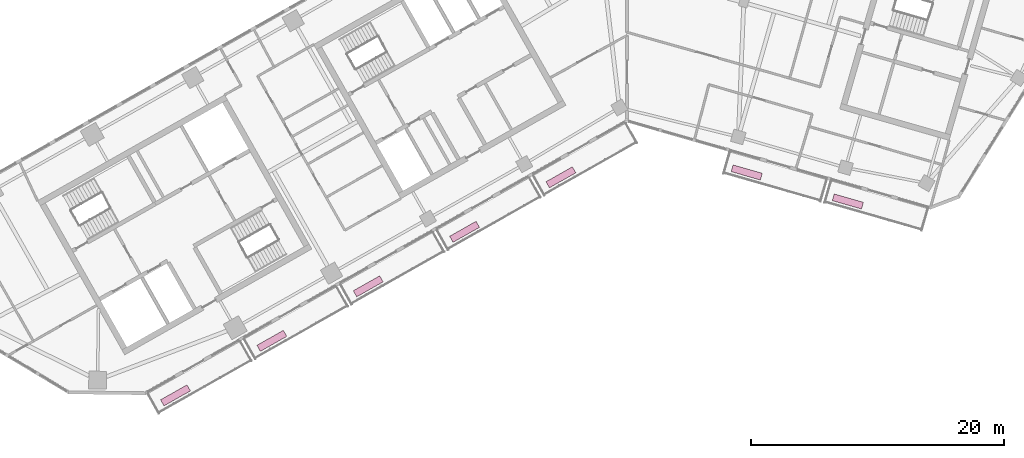
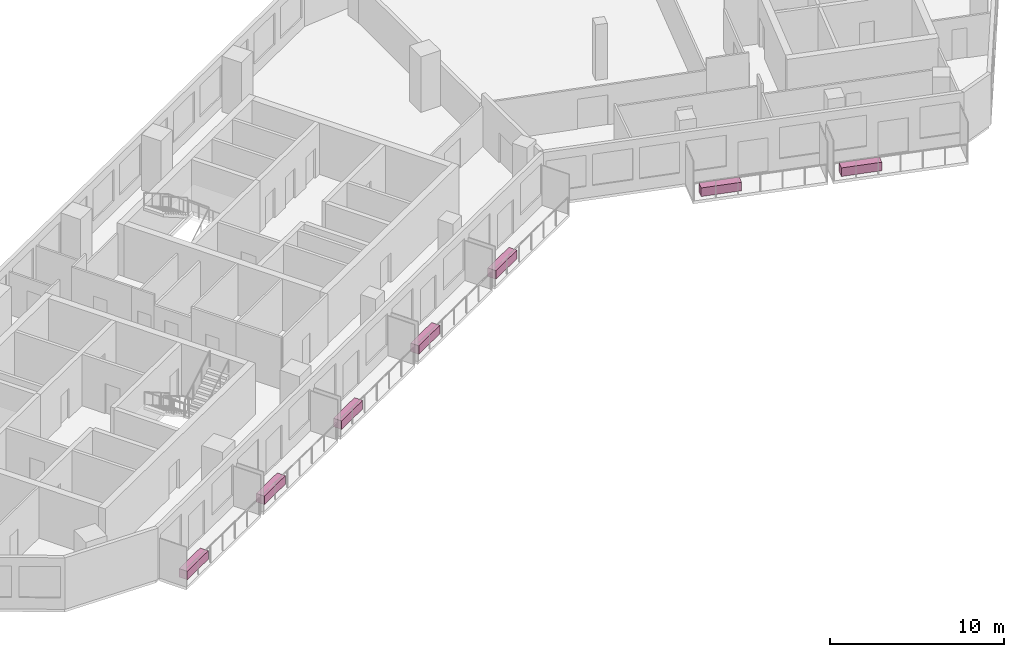
# One storey, part 11 of 11: 7 furnishings.
"""IFC4 building model written with IfcOpenShell, lengths in metres."""

from ifc_helpers import new_model, si_unit, direction, frame, origin, origin_2d, place, context, subcontext, project, spatial, rectangle, extrude, material, type_object, element, save


model = new_model("IFC4")

# Units and contexts
model_context = context("Model", 3, precision=1e-05, world=origin(), true_north=direction((0.0, 1.0)))
body_context = subcontext(model_context, "Body", "Model", "MODEL_VIEW")
ifc_project = project(units=[si_unit("LENGTHUNIT", "METRE"), si_unit("AREAUNIT", "SQUARE_METRE"), si_unit("VOLUMEUNIT", "CUBIC_METRE"), si_unit("PLANEANGLEUNIT", "RADIAN"), si_unit("MASSUNIT", "GRAM", prefix="KILO")], contexts=[model_context])

# Site, building, storey
site_placement = place(None, origin())
site = spatial("IfcSite", under=ifc_project, at=site_placement, CompositionType="ELEMENT")
building_placement = place(site_placement, origin())
building = spatial("IfcBuilding", under=site, at=building_placement, Name="Binnacle Exchange Tower", CompositionType="ELEMENT")
storey_placement = place(building_placement, frame((0.0, 0.0, 219.199951171875)))
storey = spatial("IfcBuildingStorey", under=building, at=storey_placement, Name="L48", CompositionType="ELEMENT", Elevation=219.199951171875)

# Furnishings
ifc_material = material(Name="Concrete C35/45", Category="concrete")
furnishing_element_type = type_object("IfcFurnishingElementType", Name="PLANTER 2400x550x600", material=ifc_material)
for number, where, z_axis, x_axis, name in (
    (1, (-35.698486328125, 26.2861328125, 0.0), (0.0, 0.0, 1.0), (0.87035569594, 0.492423560103, 0.0), "Planter G01-B00a L48"),
    (2, (-28.078857421875, 30.59716796875, 0.0), (0.0, 0.0, 1.0), (0.87035569594, 0.492423560103, 0.0), "Planter G01-B01a L48"),
    (3, (-20.459228515625, 34.908203125, 0.0), (0.0, 0.0, 1.0), (0.87035569594, 0.492423560103, 0.0), "Planter G01-B02a L48"),
    (4, (-12.839599609375, 39.218994140625, 0.0), (0.0, 0.0, 1.0), (0.87035569594, 0.492423560103, 0.0), "Planter G01-B03a L48"),
    (5, (-5.22021484375, 43.530029296875, 0.0), (0.0, 0.0, 1.0), (0.87035569594, 0.492423560103, 0.0), "Planter G01-B04a L48"),
    (6, (9.474609375, 43.909912109375, 0.0), (0.0, 0.0, 1.0), (0.961261695938, -0.275637355817, 0.0), "Planter G02-B01a L48"),
    (7, (17.47265625, 41.61669921875, 0.0), (0.0, 0.0, 1.0), (0.961261695938, -0.275637355817, 0.0), "Planter G02-B02a L48"),
):
    element("IfcFurnishingElement", number, at=place(storey_placement, frame(where, z_axis=z_axis, x_axis=x_axis)), inside=storey, type_object=furnishing_element_type, Name=name, ObjectType="PLANTER", context=body_context, shape_type="SweptSolid", body=[
        extrude(rectangle(XDim=2.39990234375, YDim=0.550048828125, at=origin_2d()), origin(), (0.0, 0.0, 1.0), 0.60009765625),
    ])

save(model, "model.ifc")
